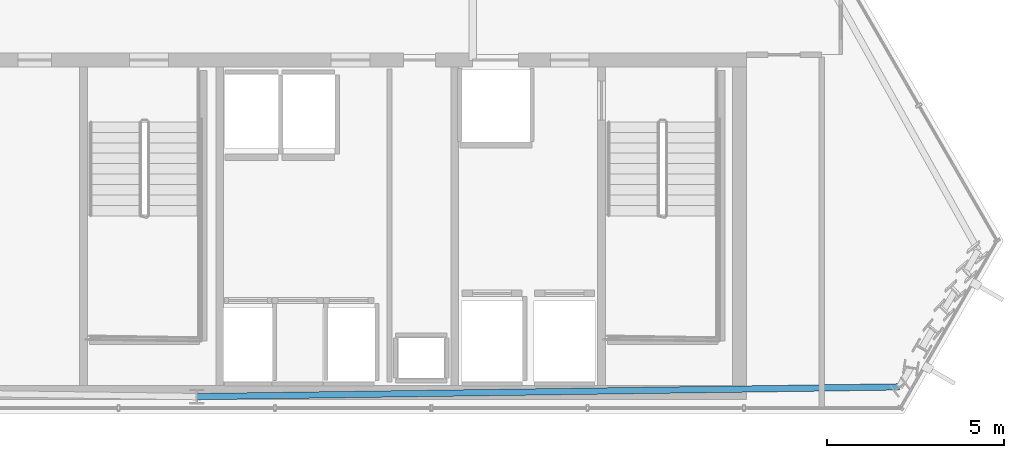
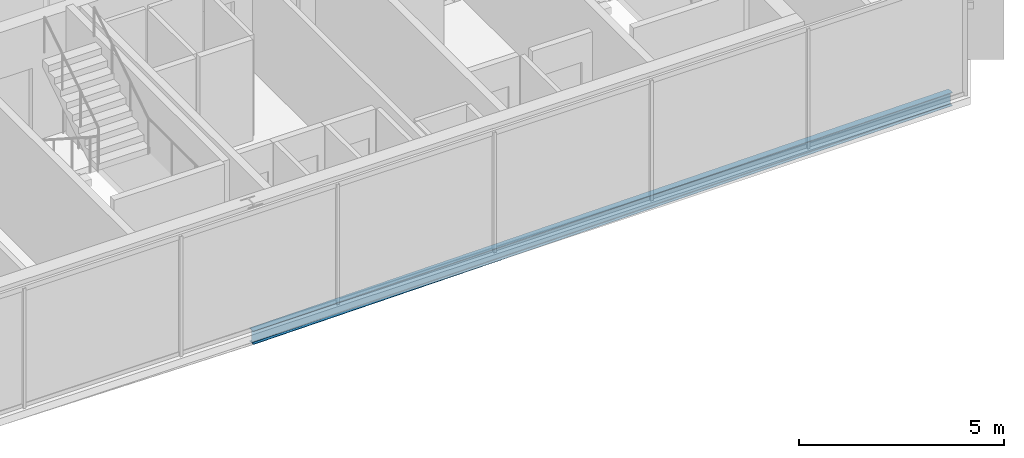
# One storey, part 21 of 34: 1 beam.
"""IFC4 building model written with IfcOpenShell, lengths in metres."""

from ifc_helpers import new_model, si_unit, direction, frame, origin, origin_2d, place, context, subcontext, project, spatial, i_section, extrude, material, material_profile, profile_set, type_object, element, save


model = new_model("IFC4")

# Units and contexts
model_context = context("Model", 3, precision=1e-05, world=origin(), true_north=direction((0.0, 1.0)))
body_context = subcontext(model_context, "Body", "Model", "MODEL_VIEW")
ifc_project = project(units=[si_unit("LENGTHUNIT", "METRE"), si_unit("AREAUNIT", "SQUARE_METRE"), si_unit("VOLUMEUNIT", "CUBIC_METRE"), si_unit("PLANEANGLEUNIT", "RADIAN"), si_unit("MASSUNIT", "GRAM", prefix="KILO")], contexts=[model_context])

# Site, building, storey
site_placement = place(None, origin())
site = spatial("IfcSite", under=ifc_project, at=site_placement, CompositionType="ELEMENT")
building_placement = place(site_placement, origin())
building = spatial("IfcBuilding", under=site, at=building_placement, Name="Ndaravel Arena Tower", CompositionType="ELEMENT")
storey_placement = place(building_placement, frame((0.0, 0.0, 267.39990234375)))
storey = spatial("IfcBuildingStorey", under=building, at=storey_placement, Name="L65", CompositionType="ELEMENT", Elevation=267.39990234375)

# Beam
ifc_material = material(Name="Steel S355", Category="steel")
ifc_material_profile = material_profile(ifc_material, i_section(OverallWidth=0.179931640625, OverallDepth=0.39990234375, WebThickness=0.008544921875, FlangeThickness=0.013427734375, FilletRadius=0.02099609375, at=origin_2d()), Name="IPE 400")
ifc_profile_set = profile_set([ifc_material_profile], Name="Steel S355")
beam_type = type_object("IfcBeamType", Name="BM-SPAN-IPE400", PredefinedType="SPANDREL", material=ifc_profile_set)
beam_placement = place(storey_placement, frame((42.0, 5.47998046875, -0.419921875), z_axis=(0.999903852114, 0.013866741789, 0.0), x_axis=(-0.013866741789, 0.999903852114, 0.0)))
element("IfcBeam", 1, at=beam_placement, inside=storey, type_object=beam_type, Name="L65 Perimeter Spandrel Beam SP-01", PredefinedType="SPANDREL", context=body_context, shape_type="SweptSolid", body=[
    extrude(i_section(OverallWidth=0.179931640625, OverallDepth=0.39990234375, WebThickness=0.008544921875, FlangeThickness=0.013427734375, FilletRadius=0.02099609375, at=origin_2d()), origin(), (0.0, 0.0, 1.0), 19.87744140625),
])

save(model, "model.ifc")
